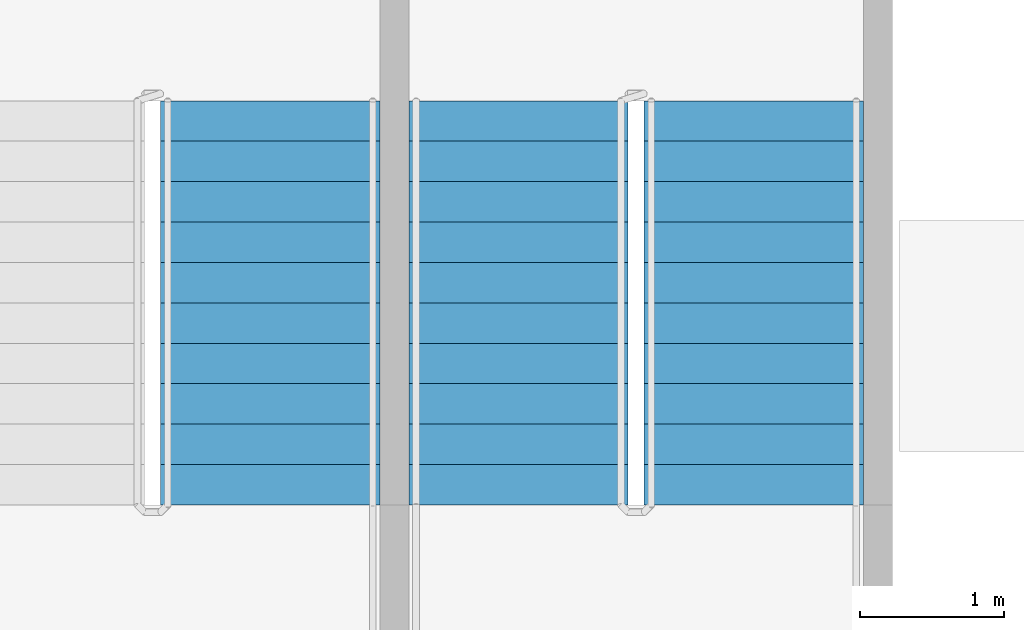
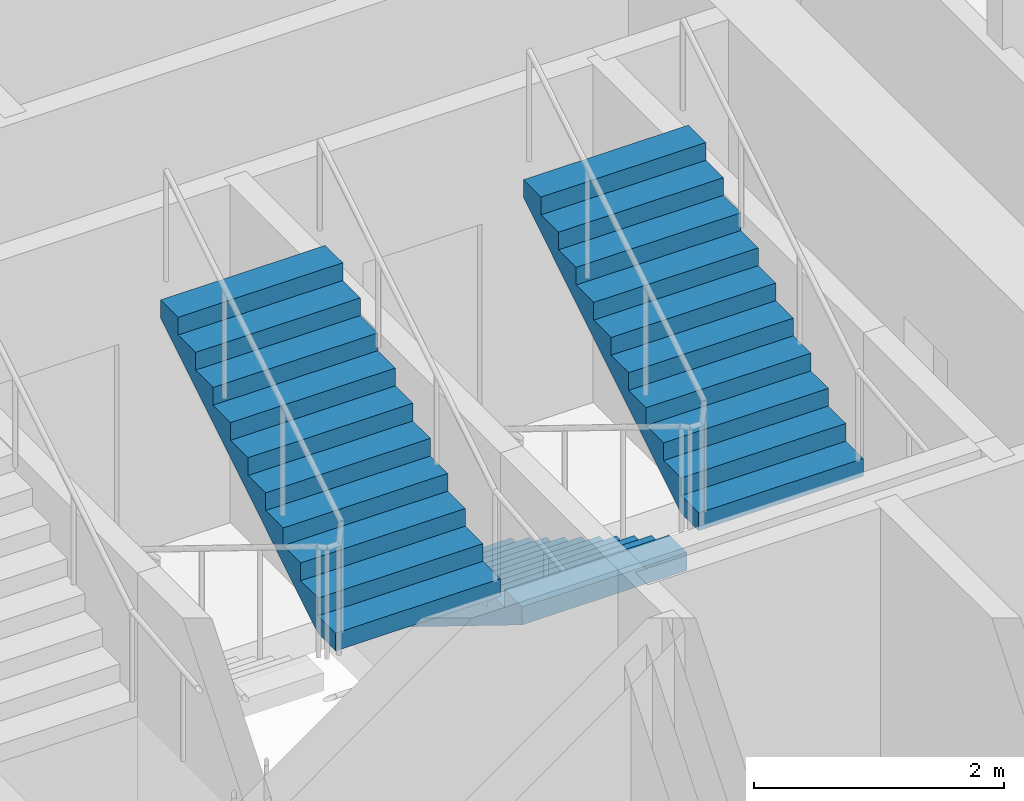
# One storey, part 18 of 20: 3 stair flights, 2 elements without a shape of their own.
"""IFC4 building model written with IfcOpenShell, lengths in metres."""

from ifc_helpers import new_model, si_unit, direction, frame, origin, place, context, subcontext, project, spatial, polyline, outline, extrude, material, type_object, element, aggregate, save


model = new_model("IFC4")

# Units and contexts
model_context = context("Model", 3, precision=1e-05, world=origin(), true_north=direction((0.0, 1.0)))
body_context = subcontext(model_context, "Body", "Model", "MODEL_VIEW")
ifc_project = project(units=[si_unit("LENGTHUNIT", "METRE"), si_unit("AREAUNIT", "SQUARE_METRE"), si_unit("VOLUMEUNIT", "CUBIC_METRE"), si_unit("PLANEANGLEUNIT", "RADIAN"), si_unit("MASSUNIT", "GRAM", prefix="KILO")], contexts=[model_context])

# Site, building, storey
site_placement = place(None, origin())
site = spatial("IfcSite", under=ifc_project, at=site_placement, CompositionType="ELEMENT")
building_placement = place(site_placement, origin())
building = spatial("IfcBuilding", under=site, at=building_placement, Name="Tessera Arch", CompositionType="ELEMENT")
storey_placement = place(building_placement, frame((0.0, 0.0, 119.60009765625)))
storey = spatial("IfcBuildingStorey", under=building, at=storey_placement, Name="L28", CompositionType="ELEMENT", Elevation=119.60009765625)

# Stair, stair flight
ifc_material_1 = material(Name="Concrete C40/50", Category="concrete")
stair_type = type_object("IfcStairType", Name="Dogleg stair 1520", PredefinedType="HALF_TURN_STAIR", material=ifc_material_1)
stair_1_placement = place(storey_placement, origin())
stair_1 = element("IfcStair", 1, at=stair_1_placement, inside=storey, type_object=stair_type, Name="L28 S1b", PredefinedType="HALF_TURN_STAIR")
ifc_material_2 = material(Name="Concrete C40/50", Category="concrete")
stair_flight_type = type_object("IfcStairFlightType", Name="Stair flight 1520", PredefinedType="STRAIGHT", material=ifc_material_2)
stair_flight_1_placement = place(storey_placement, frame((42.43994140625, 40.780029296875, 1.89990234375), z_axis=(0.0, 0.0, 1.0), x_axis=(0.0, 1.0, 0.0)))
stair_flight_1 = element("IfcStairFlight", 2, at=stair_flight_1_placement, type_object=stair_flight_type, Name="S1b flight 2", NumberOfRisers=11, NumberOfTreads=10, PredefinedType="STRAIGHT", RiserHeight=0.172727273, TreadLength=0.28, context=body_context, shape_type="SweptSolid", body=[
    extrude(outline(polyline([(0.0, 0.0), (0.0, 0.172607421875), (0.280029296875, 0.172607421875), (0.280029296875, 0.345458984375), (0.56005859375, 0.345458984375), (0.56005859375, 0.51806640625), (0.840087890625, 0.51806640625), (0.840087890625, 0.69091796875), (1.1201171875, 0.69091796875), (1.1201171875, 0.863525390625), (1.39990234375, 0.863525390625), (1.39990234375, 1.036376953125), (1.679931640625, 1.036376953125), (1.679931640625, 1.208984375), (1.9599609375, 1.208984375), (1.9599609375, 1.3818359375), (2.239990234375, 1.3818359375), (2.239990234375, 1.554443359375), (2.52001953125, 1.554443359375), (2.52001953125, 1.727294921875), (2.800048828125, 1.727294921875), (2.800048828125, 1.89990234375), (2.800048828125, 1.551025390625), (0.285400390625, 0.0), (0.0, 0.0)])), frame((0.0, 0.760009765625, 0.0), z_axis=(0.0, -1.0, 0.0), x_axis=(1.0, 0.0, 0.0)), (0.0, 0.0, 1.0), 1.52001953125),
])
aggregate(stair_1, [stair_flight_1])

# Stair, stair flights
stair_2_placement = place(storey_placement, origin())
stair_2 = element("IfcStair", 3, at=stair_2_placement, inside=storey, type_object=stair_type, Name="L28 S1c", PredefinedType="HALF_TURN_STAIR")
stair_flight_2_placement = place(storey_placement, frame((44.159912109375, 43.580078125, 0.0), z_axis=(0.0, 0.0, 1.0), x_axis=(0.0, -1.0, 0.0)))
stair_flight_2 = element("IfcStairFlight", 4, at=stair_flight_2_placement, type_object=stair_flight_type, Name="S1c flight 1", NumberOfRisers=11, NumberOfTreads=10, PredefinedType="STRAIGHT", RiserHeight=0.172727273, TreadLength=0.28, context=body_context, shape_type="SweptSolid", body=[
    extrude(outline(polyline([(0.0, 0.0), (0.0, 0.172607421875), (0.280029296875, 0.172607421875), (0.280029296875, 0.345458984375), (0.56005859375, 0.345458984375), (0.56005859375, 0.51806640625), (0.840087890625, 0.51806640625), (0.840087890625, 0.69091796875), (1.1201171875, 0.69091796875), (1.1201171875, 0.863525390625), (1.39990234375, 0.863525390625), (1.39990234375, 1.036376953125), (1.679931640625, 1.036376953125), (1.679931640625, 1.208984375), (1.9599609375, 1.208984375), (1.9599609375, 1.3818359375), (2.239990234375, 1.3818359375), (2.239990234375, 1.554443359375), (2.52001953125, 1.554443359375), (2.52001953125, 1.727294921875), (2.800048828125, 1.727294921875), (2.800048828125, 1.89990234375), (2.800048828125, 1.551025390625), (0.285400390625, 0.0), (0.0, 0.0)])), frame((0.0, 0.760009765625, 0.0), z_axis=(0.0, -1.0, 0.0), x_axis=(1.0, 0.0, 0.0)), (0.0, 0.0, 1.0), 1.52001953125),
])
stair_flight_3_placement = place(storey_placement, frame((45.7900390625, 40.780029296875, 1.89990234375), z_axis=(0.0, 0.0, 1.0), x_axis=(0.0, 1.0, 0.0)))
stair_flight_3 = element("IfcStairFlight", 5, at=stair_flight_3_placement, type_object=stair_flight_type, Name="S1c flight 2", NumberOfRisers=11, NumberOfTreads=10, PredefinedType="STRAIGHT", RiserHeight=0.172727273, TreadLength=0.28, context=body_context, shape_type="SweptSolid", body=[
    extrude(outline(polyline([(0.0, 0.0), (0.0, 0.172607421875), (0.280029296875, 0.172607421875), (0.280029296875, 0.345458984375), (0.56005859375, 0.345458984375), (0.56005859375, 0.51806640625), (0.840087890625, 0.51806640625), (0.840087890625, 0.69091796875), (1.1201171875, 0.69091796875), (1.1201171875, 0.863525390625), (1.39990234375, 0.863525390625), (1.39990234375, 1.036376953125), (1.679931640625, 1.036376953125), (1.679931640625, 1.208984375), (1.9599609375, 1.208984375), (1.9599609375, 1.3818359375), (2.239990234375, 1.3818359375), (2.239990234375, 1.554443359375), (2.52001953125, 1.554443359375), (2.52001953125, 1.727294921875), (2.800048828125, 1.727294921875), (2.800048828125, 1.89990234375), (2.800048828125, 1.551025390625), (0.285400390625, 0.0), (0.0, 0.0)])), frame((0.0, 0.760009765625, 0.0), z_axis=(0.0, -1.0, 0.0), x_axis=(1.0, 0.0, 0.0)), (0.0, 0.0, 1.0), 1.52001953125),
])
aggregate(stair_2, [stair_flight_2, stair_flight_3])

save(model, "model.ifc")
